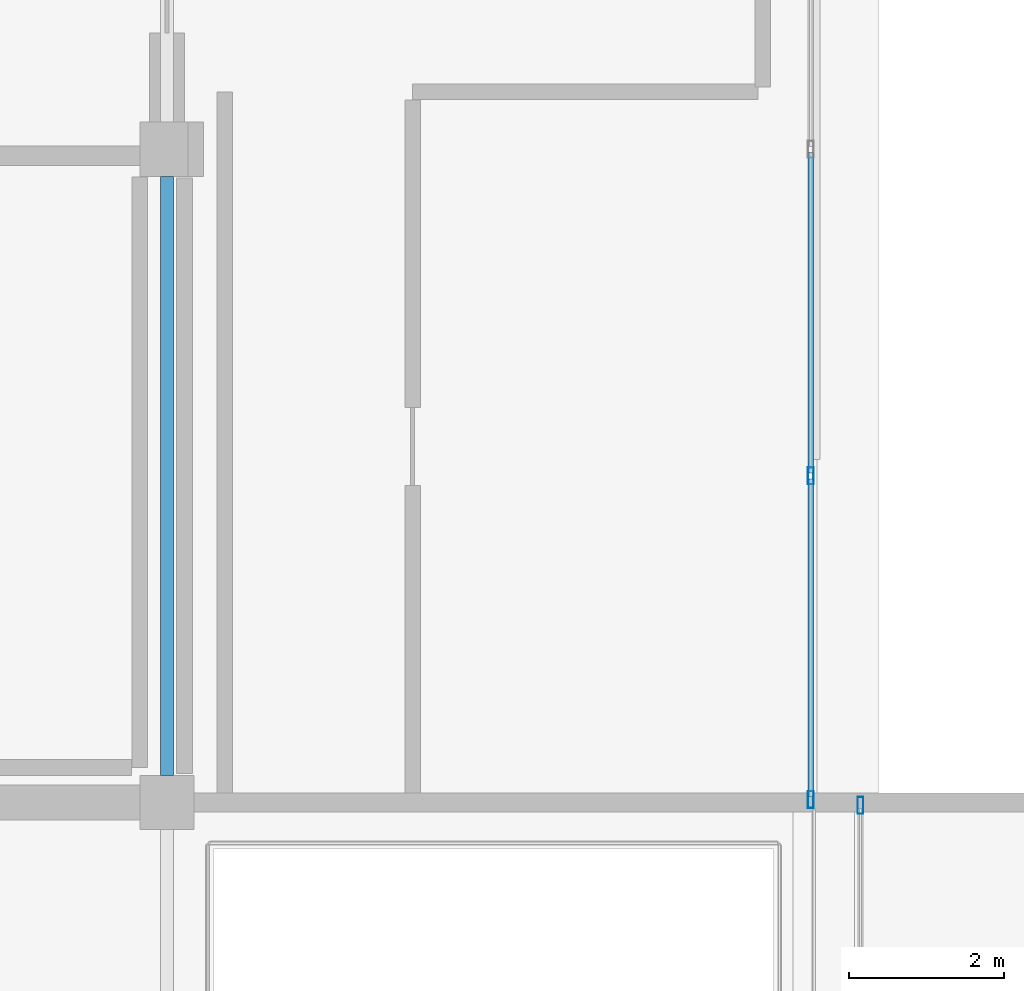
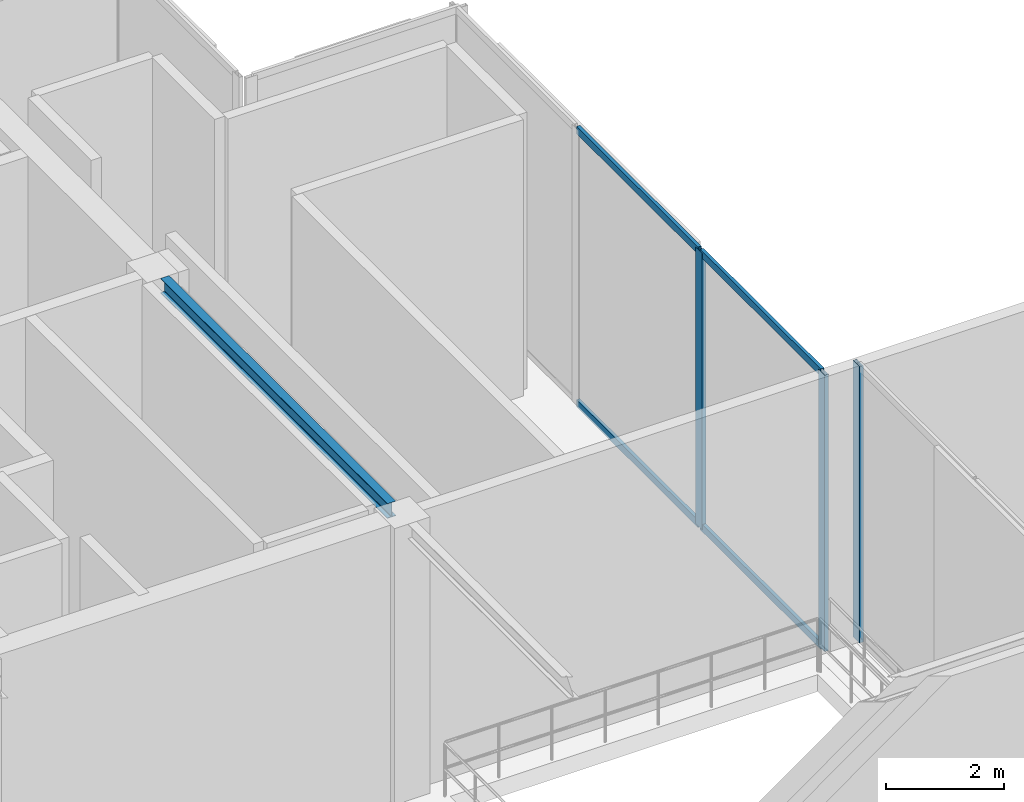
# One storey, part 9 of 19: 7 members, 1 beam, 2 elements without a shape of their own.
"""IFC4 building model written with IfcOpenShell, lengths in metres."""

import ifcopenshell
import ifcopenshell.guid

model = None  # the IFC model being written
_history = None  # IfcOwnerHistory: only IFC2X3 demands one
_inside = {}  # id of a spatial element -> (the spatial element, [elements in it])
_under = {}  # id of a project, library or spatial element -> (it, [spatial elements below it])
_declared = {}  # id of a project -> (the project, [libraries it declares])
_typed = {}  # id of a type object -> (the type object, [elements of that type])
_made_of = {}  # id of a material, layer set ... -> (it, [elements and type objects made of it])


def new_model(schema):
    """Start an empty IFC model of exactly this schema.

    Asked for "IFC4X3", IfcOpenShell would pick the latest addendum, in which some entities
    have other attributes; the version numbers below select the first issue.
    IFC2X3 requires an IfcOwnerHistory on every rooted entity: one is made here for all.
    """
    global model, _history
    if schema == "IFC4X3":
        model = ifcopenshell.file(schema_version=(4, 3, 0, 0))
    else:
        model = ifcopenshell.file(schema=schema)
    _inside.clear()
    _under.clear()
    _declared.clear()
    _typed.clear()
    _made_of.clear()
    _history = None
    if model.schema == "IFC2X3":
        org = make("IfcOrganization", Name="unknown")
        user = make(
            "IfcPersonAndOrganization",
            ThePerson=make("IfcPerson", FamilyName="unknown"),
            TheOrganization=org,
        )
        app = make(
            "IfcApplication",
            ApplicationDeveloper=org,
            Version="unknown",
            ApplicationFullName="unknown",
            ApplicationIdentifier="unknown",
        )
        _history = make(
            "IfcOwnerHistory",
            OwningUser=user,
            OwningApplication=app,
            ChangeAction="ADDED",
            CreationDate=0,
        )
    return model


def make(cls, **values):
    """One entity of the class cls with the attributes given. An attribute that is None is left unset."""
    return model.create_entity(
        cls, **{name: value for name, value in values.items() if value is not None}
    )


def rooted(cls, **values):
    """An entity with a GlobalId (a new one), such as an element, a storey or a relation."""
    return make(cls, GlobalId=ifcopenshell.guid.new(), OwnerHistory=_history, **values)


def si_unit(unit_type, name, prefix=None):
    """IfcSIUnit, for example si_unit("LENGTHUNIT", "METRE", prefix="MILLI")."""
    return make("IfcSIUnit", UnitType=unit_type, Prefix=prefix, Name=name)


def assignment(units):
    """IfcUnitAssignment: the units of a project."""
    return None if units is None else make("IfcUnitAssignment", Units=units)


def point(xyz):
    """IfcCartesianPoint."""
    return None if xyz is None else make("IfcCartesianPoint", Coordinates=xyz)


def direction(xyz):
    """IfcDirection."""
    return None if xyz is None else make("IfcDirection", DirectionRatios=xyz)


def frame(location, z_axis=None, x_axis=None):
    """IfcAxis2Placement3D, a coordinate frame: its origin and axes. An axis left out is left unset."""
    return make(
        "IfcAxis2Placement3D",
        Location=point(location),
        Axis=direction(z_axis),
        RefDirection=direction(x_axis),
    )


def frame_2d(location, x_axis=None):
    """IfcAxis2Placement2D, a coordinate frame in the plane: its origin and x axis."""
    return make(
        "IfcAxis2Placement2D", Location=point(location), RefDirection=direction(x_axis)
    )


def origin():
    """The frame at (0, 0, 0) with its axes left unset."""
    return frame((0.0, 0.0, 0.0))


def origin_2d():
    """The frame at (0, 0) in the plane with its x axis left unset."""
    return frame_2d((0.0, 0.0))


def place(relative_to, where):
    """IfcLocalPlacement: puts the frame where relative to a parent placement (None: the world)."""
    return make(
        "IfcLocalPlacement", PlacementRelTo=relative_to, RelativePlacement=where
    )


def context(
    kind, dimensions, precision=None, world=None, true_north=None, identifier=None
):
    """IfcGeometricRepresentationContext, for example the 3D "Model" context."""
    return make(
        "IfcGeometricRepresentationContext",
        ContextIdentifier=identifier,
        ContextType=kind,
        CoordinateSpaceDimension=dimensions,
        Precision=precision,
        WorldCoordinateSystem=world,
        TrueNorth=true_north,
    )


def subcontext(parent, identifier, kind, view, scale=None):
    """IfcGeometricRepresentationSubContext, for example "Body" below "Model"."""
    return make(
        "IfcGeometricRepresentationSubContext",
        ContextIdentifier=identifier,
        ContextType=kind,
        ParentContext=parent,
        TargetScale=scale,
        TargetView=view,
    )


def project(units=None, contexts=None):
    """IfcProject with its units and contexts."""
    return rooted(
        "IfcProject",
        Name="project",
        RepresentationContexts=contexts,
        UnitsInContext=assignment(units),
    )


def spatial(cls, under=None, at=None, **own):
    """A site, building, storey or space (cls), placed at a placement, below another one or the project."""
    s = rooted(cls, ObjectPlacement=at, **own)
    if under is not None:
        _under.setdefault(under.id(), (under, []))[1].append(s)
    return s


def profile(cls, at=None, kind="AREA", **sizes):
    """A parametric profile (cls). Its sizes go by their IFC names, for example OverallWidth=200.0."""
    return make(cls, ProfileType=kind, Position=at, **sizes)


def hollow_rectangle(**sizes):
    """IfcRectangleHollowProfileDef."""
    return profile("IfcRectangleHollowProfileDef", **sizes)


def i_section(**sizes):
    """IfcIShapeProfileDef."""
    return profile("IfcIShapeProfileDef", **sizes)


def extrude(swept, where, along, depth):
    """IfcExtrudedAreaSolid: the profile swept, set in the frame where, extruded along a direction by depth."""
    return make(
        "IfcExtrudedAreaSolid",
        SweptArea=swept,
        Position=where,
        ExtrudedDirection=direction(along),
        Depth=depth,
    )


def shape(context_of_items, identifier, shape_type, items):
    """IfcShapeRepresentation: the items that make up one representation, for example the "Body"."""
    return make(
        "IfcShapeRepresentation",
        ContextOfItems=context_of_items,
        RepresentationIdentifier=identifier,
        RepresentationType=shape_type,
        Items=items,
    )


def material(Name=None, Category=None):
    """IfcMaterial."""
    return make("IfcMaterial", Name=Name, Category=Category)


def layer(
    of_material, thickness, ventilated=None, Name=None, Category=None, Priority=None
):
    """IfcMaterialLayer: one layer of a wall or slab, of a material (None: an air gap)."""
    return make(
        "IfcMaterialLayer",
        Material=of_material,
        LayerThickness=thickness,
        IsVentilated=ventilated,
        Name=Name,
        Category=Category,
        Priority=Priority,
    )


def layer_set(layers, Name=None):
    """IfcMaterialLayerSet."""
    return make("IfcMaterialLayerSet", MaterialLayers=layers, LayerSetName=Name)


def material_profile(
    of_material, cross_section, Name=None, Category=None, Priority=None
):
    """IfcMaterialProfile: a cross section and its material."""
    return make(
        "IfcMaterialProfile",
        Name=Name,
        Material=of_material,
        Profile=cross_section,
        Priority=Priority,
        Category=Category,
    )


def profile_set(profiles, Name=None, composite=None):
    """IfcMaterialProfileSet."""
    return make(
        "IfcMaterialProfileSet",
        Name=Name,
        MaterialProfiles=profiles,
        CompositeProfile=composite,
    )


def made_of(thing, what):
    """Note that an element or type object is made of a material, layer set ...; save() writes the relation."""
    if what is not None:
        _made_of.setdefault(what.id(), (what, []))[1].append(thing)
    return thing


def type_object(cls, material=None, **own):
    """A type object (cls), such as IfcWallType, which elements share."""
    return made_of(rooted(cls, **own), material)


def element(
    cls,
    number,
    at=None,
    inside=None,
    cuts=None,
    type_object=None,
    material=None,
    context=None,
    identifier="Body",
    shape_type=None,
    held_by="IfcProductDefinitionShape",
    body=None,
    shapes=None,
    **own,
):
    """One element of the class cls, such as IfcWall. Its Tag is "e" and its number.

    at: its placement. inside: the storey or other place that contains it. cuts: it is an
    opening in that element (IfcRelVoidsElement). A single representation is given by context,
    identifier, shape_type and body (its items); several are given by shapes. held_by: the class
    of the entity that holds the representations. save() writes the other relations.
    """
    e = rooted(cls, Tag="e%d" % number, ObjectPlacement=at, **own)
    if body is not None:
        shapes = [shape(context, identifier, shape_type, body)]
    if shapes is not None:
        e.Representation = make(held_by, Representations=shapes)
    if inside is not None:
        _inside.setdefault(inside.id(), (inside, []))[1].append(e)
    if cuts is not None:
        rooted(
            "IfcRelVoidsElement", RelatingBuildingElement=cuts, RelatedOpeningElement=e
        )
    if type_object is not None:
        _typed.setdefault(type_object.id(), (type_object, []))[1].append(e)
    return made_of(e, material)


def aggregate(whole, parts):
    """IfcRelAggregates: a whole, such as a stair, and the parts it consists of."""
    return rooted("IfcRelAggregates", RelatingObject=whole, RelatedObjects=parts)


def save(model, path):
    """Write the relations noted so far, then the file.

    IfcRelAggregates (storeys below a building ...), IfcRelContainedInSpatialStructure (elements
    in a storey), IfcRelDefinesByType, IfcRelAssociatesMaterial and IfcRelDeclares: one each for
    every whole, place, type object, material and project.
    """
    for whole, parts in _under.values():
        aggregate(whole, parts)
    for where, things in _inside.values():
        rooted(
            "IfcRelContainedInSpatialStructure",
            RelatedElements=things,
            RelatingStructure=where,
        )
    for kind, things in _typed.values():
        rooted("IfcRelDefinesByType", RelatedObjects=things, RelatingType=kind)
    for what, things in _made_of.values():
        rooted("IfcRelAssociatesMaterial", RelatedObjects=things, RelatingMaterial=what)
    for by, libraries in _declared.values():
        rooted("IfcRelDeclares", RelatingContext=by, RelatedDefinitions=libraries)
    model.write(path)


model = new_model("IFC4")

# Units and contexts
model_context = context("Model", 3, precision=1e-05, world=origin(), true_north=direction((0.0, 1.0)))
body_context = subcontext(model_context, "Body", "Model", "MODEL_VIEW")
ifc_project = project(units=[si_unit("LENGTHUNIT", "METRE"), si_unit("AREAUNIT", "SQUARE_METRE"), si_unit("VOLUMEUNIT", "CUBIC_METRE"), si_unit("PLANEANGLEUNIT", "RADIAN"), si_unit("MASSUNIT", "GRAM", prefix="KILO")], contexts=[model_context])

# Site, building, storey
site_placement = place(None, origin())
site = spatial("IfcSite", under=ifc_project, at=site_placement, CompositionType="ELEMENT")
building_placement = place(site_placement, origin())
building = spatial("IfcBuilding", under=site, at=building_placement, Name="Nerrivon Quay Data Exchange", CompositionType="ELEMENT")
storey_placement = place(building_placement, frame((0.0, 0.0, 327.0)))
storey = spatial("IfcBuildingStorey", under=building, at=storey_placement, Name="L78", CompositionType="ELEMENT", Elevation=327.0)

# Beam
ifc_material_1 = material(Name="Steel Grade 350", Category="steel")
ifc_material_profile_1 = material_profile(ifc_material_1, i_section(OverallWidth=0.166015625, OverallDepth=0.306884765625, WebThickness=0.006591796875, FlangeThickness=0.01171875, FilletRadius=0.011474609375, at=origin_2d()), Name="310UB46.2")
ifc_profile_set_1 = profile_set([ifc_material_profile_1], Name="Steel Grade 350")
beam_type = type_object("IfcBeamType", Name="BM-J5-310UB46", PredefinedType="JOIST", material=ifc_profile_set_1)
beam_placement = place(storey_placement, frame((16.800048828125, 25.550048828125, 5.571533203125), z_axis=(0.0, 1.0, 0.0), x_axis=(-1.0, 0.0, 0.0)))
element("IfcBeam", 1, at=beam_placement, inside=storey, type_object=beam_type, Name="L78 NS Girder X=16.8 (25.2..33.6)", PredefinedType="JOIST", context=body_context, shape_type="SweptSolid", body=[
    extrude(i_section(OverallWidth=0.166015625, OverallDepth=0.306884765625, WebThickness=0.006591796875, FlangeThickness=0.01171875, FilletRadius=0.011474609375, at=origin_2d()), origin(), (0.0, 0.0, 1.0), 7.699951171875),
])

# Curtain wall, member
ifc_material_2 = material(Name="Anodised aluminium 6063-T6", Category="aluminium")
ifc_layer = layer(ifc_material_2, 0.22998046875)
ifc_layer_set = layer_set([ifc_layer], Name="Anodised aluminium 6063-T6")
curtain_wall_type = type_object("IfcCurtainWallType", Name="CW-SYS-05", PredefinedType="NOTDEFINED", material=ifc_layer_set)
curtain_wall_1_placement = place(storey_placement, origin())
curtain_wall_1 = element("IfcCurtainWall", 2, at=curtain_wall_1_placement, inside=storey, type_object=curtain_wall_type, Name="L78 Crown Curtain Wall 12", PredefinedType="NOTDEFINED")
ifc_material_profile_2 = material_profile(ifc_material_2, hollow_rectangle(XDim=0.074951171875, YDim=0.219970703125, WallThickness=0.00390625, at=origin_2d()), Name="ALU-MULL-220x75")
ifc_profile_set_2 = profile_set([ifc_material_profile_2], Name="Anodised aluminium 6063-T6")
member_type_1 = type_object("IfcMemberType", Name="CWM-220x75", PredefinedType="MULLION", material=ifc_profile_set_2)
member_1_placement = place(storey_placement, frame((25.719970703125, 25.16259765625, 0.0), z_axis=(0.0, 0.0, 1.0), x_axis=(-1.0, 0.0, 0.0)))
member_1 = element("IfcMember", 3, at=member_1_placement, type_object=member_type_1, Name="CW05 mullion 3", PredefinedType="MULLION", context=body_context, shape_type="SweptSolid", body=[
    extrude(hollow_rectangle(XDim=0.074951171875, YDim=0.219970703125, WallThickness=0.00390625, at=origin_2d()), origin(), (0.0, 0.0, 1.0), 5.72509765625),
])
aggregate(curtain_wall_1, [member_1])

# Curtain wall, members
curtain_wall_2_placement = place(storey_placement, origin())
curtain_wall_2 = element("IfcCurtainWall", 4, at=curtain_wall_2_placement, inside=storey, type_object=curtain_wall_type, Name="L78 Crown Curtain Wall 20", PredefinedType="NOTDEFINED")
member_2_placement = place(storey_placement, frame((25.080078125, 29.39990234375, 0.0), z_axis=(0.0, 0.0, 1.0), x_axis=(1.0, 0.0, 0.0)))
member_2 = element("IfcMember", 5, at=member_2_placement, type_object=member_type_1, Name="CW05 mullion 3", PredefinedType="MULLION", context=body_context, shape_type="SweptSolid", body=[
    extrude(hollow_rectangle(XDim=0.074951171875, YDim=0.219970703125, WallThickness=0.00390625, at=origin_2d()), origin(), (0.0, 0.0, 1.0), 5.72509765625),
])
member_3_placement = place(storey_placement, frame((25.080078125, 25.237548828125, 0.0), z_axis=(0.0, 0.0, 1.0), x_axis=(1.0, 0.0, 0.0)))
member_3 = element("IfcMember", 6, at=member_3_placement, type_object=member_type_1, Name="CW05 mullion 4", PredefinedType="MULLION", context=body_context, shape_type="SweptSolid", body=[
    extrude(hollow_rectangle(XDim=0.074951171875, YDim=0.219970703125, WallThickness=0.00390625, at=origin_2d()), origin(), (0.0, 0.0, 1.0), 5.72509765625),
])
ifc_material_profile_3 = material_profile(ifc_material_2, hollow_rectangle(XDim=0.06494140625, YDim=0.14990234375, WallThickness=0.00341796875, at=origin_2d()), Name="ALU-TRAN-150x65")
ifc_profile_set_3 = profile_set([ifc_material_profile_3], Name="Anodised aluminium 6063-T6")
member_type_2 = type_object("IfcMemberType", Name="CWT-150x65", PredefinedType="USERDEFINED", material=ifc_profile_set_3)
member_4_placement = place(storey_placement, frame((25.080078125, 33.5625, 0.032470703125), z_axis=(0.0, -1.0, 0.0), x_axis=(1.0, 0.0, 0.0)))
member_4 = element("IfcMember", 7, at=member_4_placement, type_object=member_type_2, Name="CW05 transom 2.1", ObjectType="TRANSOM", PredefinedType="USERDEFINED", context=body_context, shape_type="SweptSolid", body=[
    extrude(hollow_rectangle(XDim=0.06494140625, YDim=0.14990234375, WallThickness=0.00341796875, at=origin_2d()), origin(), (0.0, 0.0, 1.0), 4.125),
])
member_5_placement = place(storey_placement, frame((25.080078125, 33.5625, 5.6923828125), z_axis=(0.0, -1.0, 0.0), x_axis=(1.0, 0.0, 0.0)))
member_5 = element("IfcMember", 8, at=member_5_placement, type_object=member_type_2, Name="CW05 transom 2.2", ObjectType="TRANSOM", PredefinedType="USERDEFINED", context=body_context, shape_type="SweptSolid", body=[
    extrude(hollow_rectangle(XDim=0.06494140625, YDim=0.14990234375, WallThickness=0.00341796875, at=origin_2d()), origin(), (0.0, 0.0, 1.0), 4.125),
])
member_6_placement = place(storey_placement, frame((25.080078125, 29.362548828125, 0.032470703125), z_axis=(0.0, -1.0, 0.0), x_axis=(1.0, 0.0, 0.0)))
member_6 = element("IfcMember", 9, at=member_6_placement, type_object=member_type_2, Name="CW05 transom 3.1", ObjectType="TRANSOM", PredefinedType="USERDEFINED", context=body_context, shape_type="SweptSolid", body=[
    extrude(hollow_rectangle(XDim=0.06494140625, YDim=0.14990234375, WallThickness=0.00341796875, at=origin_2d()), origin(), (0.0, 0.0, 1.0), 4.087646484375),
])
member_7_placement = place(storey_placement, frame((25.080078125, 29.362548828125, 5.6923828125), z_axis=(0.0, -1.0, 0.0), x_axis=(1.0, 0.0, 0.0)))
member_7 = element("IfcMember", 10, at=member_7_placement, type_object=member_type_2, Name="CW05 transom 3.2", ObjectType="TRANSOM", PredefinedType="USERDEFINED", context=body_context, shape_type="SweptSolid", body=[
    extrude(hollow_rectangle(XDim=0.06494140625, YDim=0.14990234375, WallThickness=0.00341796875, at=origin_2d()), origin(), (0.0, 0.0, 1.0), 4.087646484375),
])
aggregate(curtain_wall_2, [member_2, member_3, member_4, member_5, member_6, member_7])

save(model, "model.ifc")
